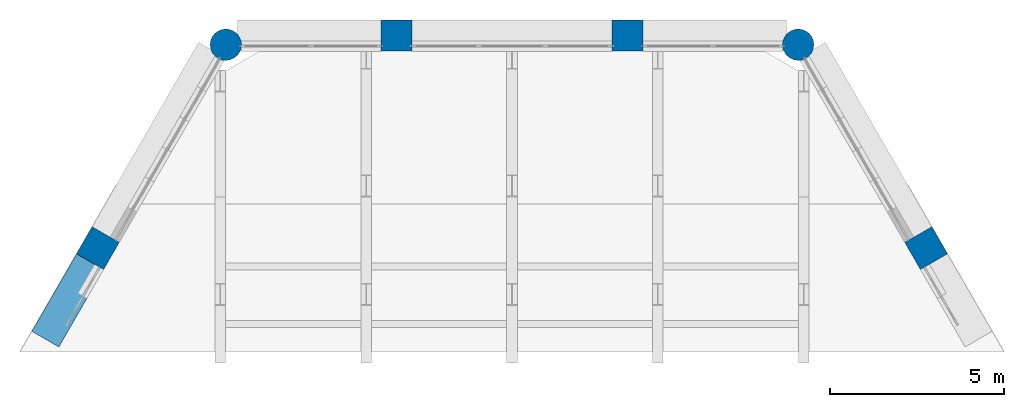
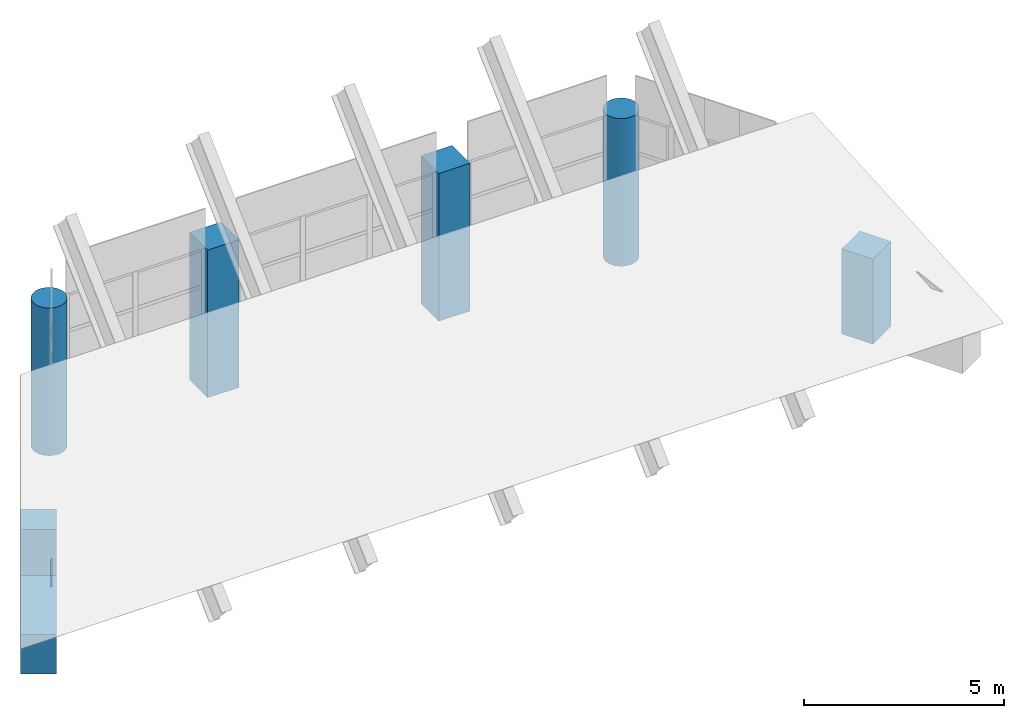
# One storey, part 1 of 11: 6 columns, 1 beam.
"""IFC4 building model written with IfcOpenShell, lengths in metres."""

import ifcopenshell
import ifcopenshell.guid

model = None  # the IFC model being written
_history = None  # IfcOwnerHistory: only IFC2X3 demands one
_inside = {}  # id of a spatial element -> (the spatial element, [elements in it])
_under = {}  # id of a project, library or spatial element -> (it, [spatial elements below it])
_declared = {}  # id of a project -> (the project, [libraries it declares])
_typed = {}  # id of a type object -> (the type object, [elements of that type])
_made_of = {}  # id of a material, layer set ... -> (it, [elements and type objects made of it])


def new_model(schema):
    """Start an empty IFC model of exactly this schema.

    Asked for "IFC4X3", IfcOpenShell would pick the latest addendum, in which some entities
    have other attributes; the version numbers below select the first issue.
    IFC2X3 requires an IfcOwnerHistory on every rooted entity: one is made here for all.
    """
    global model, _history
    if schema == "IFC4X3":
        model = ifcopenshell.file(schema_version=(4, 3, 0, 0))
    else:
        model = ifcopenshell.file(schema=schema)
    _inside.clear()
    _under.clear()
    _declared.clear()
    _typed.clear()
    _made_of.clear()
    _history = None
    if model.schema == "IFC2X3":
        org = make("IfcOrganization", Name="unknown")
        user = make(
            "IfcPersonAndOrganization",
            ThePerson=make("IfcPerson", FamilyName="unknown"),
            TheOrganization=org,
        )
        app = make(
            "IfcApplication",
            ApplicationDeveloper=org,
            Version="unknown",
            ApplicationFullName="unknown",
            ApplicationIdentifier="unknown",
        )
        _history = make(
            "IfcOwnerHistory",
            OwningUser=user,
            OwningApplication=app,
            ChangeAction="ADDED",
            CreationDate=0,
        )
    return model


def make(cls, **values):
    """One entity of the class cls with the attributes given. An attribute that is None is left unset."""
    return model.create_entity(
        cls, **{name: value for name, value in values.items() if value is not None}
    )


def rooted(cls, **values):
    """An entity with a GlobalId (a new one), such as an element, a storey or a relation."""
    return make(cls, GlobalId=ifcopenshell.guid.new(), OwnerHistory=_history, **values)


def si_unit(unit_type, name, prefix=None):
    """IfcSIUnit, for example si_unit("LENGTHUNIT", "METRE", prefix="MILLI")."""
    return make("IfcSIUnit", UnitType=unit_type, Prefix=prefix, Name=name)


def assignment(units):
    """IfcUnitAssignment: the units of a project."""
    return None if units is None else make("IfcUnitAssignment", Units=units)


def point(xyz):
    """IfcCartesianPoint."""
    return None if xyz is None else make("IfcCartesianPoint", Coordinates=xyz)


def direction(xyz):
    """IfcDirection."""
    return None if xyz is None else make("IfcDirection", DirectionRatios=xyz)


def frame(location, z_axis=None, x_axis=None):
    """IfcAxis2Placement3D, a coordinate frame: its origin and axes. An axis left out is left unset."""
    return make(
        "IfcAxis2Placement3D",
        Location=point(location),
        Axis=direction(z_axis),
        RefDirection=direction(x_axis),
    )


def frame_2d(location, x_axis=None):
    """IfcAxis2Placement2D, a coordinate frame in the plane: its origin and x axis."""
    return make(
        "IfcAxis2Placement2D", Location=point(location), RefDirection=direction(x_axis)
    )


def origin():
    """The frame at (0, 0, 0) with its axes left unset."""
    return frame((0.0, 0.0, 0.0))


def origin_2d():
    """The frame at (0, 0) in the plane with its x axis left unset."""
    return frame_2d((0.0, 0.0))


def place(relative_to, where):
    """IfcLocalPlacement: puts the frame where relative to a parent placement (None: the world)."""
    return make(
        "IfcLocalPlacement", PlacementRelTo=relative_to, RelativePlacement=where
    )


def context(
    kind, dimensions, precision=None, world=None, true_north=None, identifier=None
):
    """IfcGeometricRepresentationContext, for example the 3D "Model" context."""
    return make(
        "IfcGeometricRepresentationContext",
        ContextIdentifier=identifier,
        ContextType=kind,
        CoordinateSpaceDimension=dimensions,
        Precision=precision,
        WorldCoordinateSystem=world,
        TrueNorth=true_north,
    )


def subcontext(parent, identifier, kind, view, scale=None):
    """IfcGeometricRepresentationSubContext, for example "Body" below "Model"."""
    return make(
        "IfcGeometricRepresentationSubContext",
        ContextIdentifier=identifier,
        ContextType=kind,
        ParentContext=parent,
        TargetScale=scale,
        TargetView=view,
    )


def project(units=None, contexts=None):
    """IfcProject with its units and contexts."""
    return rooted(
        "IfcProject",
        Name="project",
        RepresentationContexts=contexts,
        UnitsInContext=assignment(units),
    )


def spatial(cls, under=None, at=None, **own):
    """A site, building, storey or space (cls), placed at a placement, below another one or the project."""
    s = rooted(cls, ObjectPlacement=at, **own)
    if under is not None:
        _under.setdefault(under.id(), (under, []))[1].append(s)
    return s


def profile(cls, at=None, kind="AREA", **sizes):
    """A parametric profile (cls). Its sizes go by their IFC names, for example OverallWidth=200.0."""
    return make(cls, ProfileType=kind, Position=at, **sizes)


def rectangle(**sizes):
    """IfcRectangleProfileDef."""
    return profile("IfcRectangleProfileDef", **sizes)


def circle(**sizes):
    """IfcCircleProfileDef."""
    return profile("IfcCircleProfileDef", **sizes)


def extrude(swept, where, along, depth):
    """IfcExtrudedAreaSolid: the profile swept, set in the frame where, extruded along a direction by depth."""
    return make(
        "IfcExtrudedAreaSolid",
        SweptArea=swept,
        Position=where,
        ExtrudedDirection=direction(along),
        Depth=depth,
    )


def shape(context_of_items, identifier, shape_type, items):
    """IfcShapeRepresentation: the items that make up one representation, for example the "Body"."""
    return make(
        "IfcShapeRepresentation",
        ContextOfItems=context_of_items,
        RepresentationIdentifier=identifier,
        RepresentationType=shape_type,
        Items=items,
    )


def material(Name=None, Category=None):
    """IfcMaterial."""
    return make("IfcMaterial", Name=Name, Category=Category)


def material_profile(
    of_material, cross_section, Name=None, Category=None, Priority=None
):
    """IfcMaterialProfile: a cross section and its material."""
    return make(
        "IfcMaterialProfile",
        Name=Name,
        Material=of_material,
        Profile=cross_section,
        Priority=Priority,
        Category=Category,
    )


def profile_set(profiles, Name=None, composite=None):
    """IfcMaterialProfileSet."""
    return make(
        "IfcMaterialProfileSet",
        Name=Name,
        MaterialProfiles=profiles,
        CompositeProfile=composite,
    )


def made_of(thing, what):
    """Note that an element or type object is made of a material, layer set ...; save() writes the relation."""
    if what is not None:
        _made_of.setdefault(what.id(), (what, []))[1].append(thing)
    return thing


def type_object(cls, material=None, **own):
    """A type object (cls), such as IfcWallType, which elements share."""
    return made_of(rooted(cls, **own), material)


def element(
    cls,
    number,
    at=None,
    inside=None,
    cuts=None,
    type_object=None,
    material=None,
    context=None,
    identifier="Body",
    shape_type=None,
    held_by="IfcProductDefinitionShape",
    body=None,
    shapes=None,
    **own,
):
    """One element of the class cls, such as IfcWall. Its Tag is "e" and its number.

    at: its placement. inside: the storey or other place that contains it. cuts: it is an
    opening in that element (IfcRelVoidsElement). A single representation is given by context,
    identifier, shape_type and body (its items); several are given by shapes. held_by: the class
    of the entity that holds the representations. save() writes the other relations.
    """
    e = rooted(cls, Tag="e%d" % number, ObjectPlacement=at, **own)
    if body is not None:
        shapes = [shape(context, identifier, shape_type, body)]
    if shapes is not None:
        e.Representation = make(held_by, Representations=shapes)
    if inside is not None:
        _inside.setdefault(inside.id(), (inside, []))[1].append(e)
    if cuts is not None:
        rooted(
            "IfcRelVoidsElement", RelatingBuildingElement=cuts, RelatedOpeningElement=e
        )
    if type_object is not None:
        _typed.setdefault(type_object.id(), (type_object, []))[1].append(e)
    return made_of(e, material)


def aggregate(whole, parts):
    """IfcRelAggregates: a whole, such as a stair, and the parts it consists of."""
    return rooted("IfcRelAggregates", RelatingObject=whole, RelatedObjects=parts)


def save(model, path):
    """Write the relations noted so far, then the file.

    IfcRelAggregates (storeys below a building ...), IfcRelContainedInSpatialStructure (elements
    in a storey), IfcRelDefinesByType, IfcRelAssociatesMaterial and IfcRelDeclares: one each for
    every whole, place, type object, material and project.
    """
    for whole, parts in _under.values():
        aggregate(whole, parts)
    for where, things in _inside.values():
        rooted(
            "IfcRelContainedInSpatialStructure",
            RelatedElements=things,
            RelatingStructure=where,
        )
    for kind, things in _typed.values():
        rooted("IfcRelDefinesByType", RelatedObjects=things, RelatingType=kind)
    for what, things in _made_of.values():
        rooted("IfcRelAssociatesMaterial", RelatedObjects=things, RelatingMaterial=what)
    for by, libraries in _declared.values():
        rooted("IfcRelDeclares", RelatingContext=by, RelatedDefinitions=libraries)
    model.write(path)


model = new_model("IFC4")

# Units and contexts
model_context = context("Model", 3, precision=1e-05, world=origin(), true_north=direction((0.0, 1.0)))
body_context = subcontext(model_context, "Body", "Model", "MODEL_VIEW")
ifc_project = project(units=[si_unit("LENGTHUNIT", "METRE"), si_unit("AREAUNIT", "SQUARE_METRE"), si_unit("VOLUMEUNIT", "CUBIC_METRE"), si_unit("PLANEANGLEUNIT", "RADIAN"), si_unit("MASSUNIT", "GRAM", prefix="KILO")], contexts=[model_context])

# Site, building, storey
site_placement = place(None, origin())
site = spatial("IfcSite", under=ifc_project, at=site_placement, CompositionType="ELEMENT")
building_placement = place(site_placement, origin())
building = spatial("IfcBuilding", under=site, at=building_placement, Name="Ostrander Bayou Hotel Tower", CompositionType="ELEMENT")
storey_placement = place(building_placement, frame((0.0, 0.0, 297.5)))
storey = spatial("IfcBuildingStorey", under=building, at=storey_placement, Name="Roof 73", CompositionType="ELEMENT", Elevation=297.5)

# Columns
ifc_material_1 = material(Name="Concrete f'c 60 MPa", Category="concrete")
ifc_material_profile_1 = material_profile(ifc_material_1, circle(Radius=0.449951171875, at=origin_2d()))
ifc_profile_set_1 = profile_set([ifc_material_profile_1], Name="Concrete f'c 60 MPa")
column_type_1 = type_object("IfcColumnType", Name="C7 round column 900 mm f'c 60 MPa", PredefinedType="COLUMN", material=ifc_profile_set_1)
for number, where, z_axis, x_axis, name in (
    (1, (-8.2421875, 16.588623046875, -1.199951171875), (0.0, 0.0, 1.0), (1.0, 0.0, 0.0), "C7 L73 K0"),
    (2, (8.2421875, 16.588623046875, -1.199951171875), (0.0, 0.0, 1.0), (1.0, 0.0, 0.0), "C7 L73 K5"),
):
    element("IfcColumn", number, at=place(storey_placement, frame(where, z_axis=z_axis, x_axis=x_axis)), inside=storey, type_object=column_type_1, Name=name, PredefinedType="COLUMN", context=body_context, shape_type="SweptSolid", body=[
        extrude(circle(Radius=0.449951171875, at=origin_2d()), origin(), (0.0, 0.0, 1.0), 4.5),
    ])
ifc_material_2 = material(Name="Concrete f'c 60 MPa", Category="concrete")
ifc_material_profile_2 = material_profile(ifc_material_2, rectangle(XDim=0.89990234375, YDim=0.89990234375, at=origin_2d()))
ifc_profile_set_2 = profile_set([ifc_material_profile_2], Name="Concrete f'c 60 MPa")
column_type_2 = type_object("IfcColumnType", Name="C8 square column 900 x 900 mm f'c 60 MPa", PredefinedType="COLUMN", material=ifc_profile_set_2)
for number, where, z_axis, x_axis, name in (
    (3, (3.329345703125, 16.85009765625, -1.199951171875), (0.0, 0.0, 1.0), (1.0, 0.0, 0.0), "C8 L73 N1"),
    (4, (-3.329345703125, 16.85009765625, -1.199951171875), (0.0, 0.0, 1.0), (1.0, 0.0, 0.0), "C8 L73 N2"),
):
    element("IfcColumn", number, at=place(storey_placement, frame(where, z_axis=z_axis, x_axis=x_axis)), inside=storey, type_object=column_type_2, Name=name, PredefinedType="COLUMN", context=body_context, shape_type="SweptSolid", body=[
        extrude(rectangle(XDim=0.89990234375, YDim=0.89990234375, at=origin_2d()), origin(), (0.0, 0.0, 1.0), 4.5),
    ])
for number, where, z_axis, x_axis, name in (
    (5, (-11.92626953125, 10.72998046875, -1.199951171875), (0.0, 0.0, 1.0), (0.5, 0.866025403784, 0.0), "C8 L73 NW1"),
    (6, (11.92626953125, 10.72998046875, -1.199951171875), (0.0, 0.0, 1.0), (0.5, -0.866025403784, 0.0), "C8 L73 NE2"),
):
    element("IfcColumn", number, at=place(storey_placement, frame(where, z_axis=z_axis, x_axis=x_axis)), inside=storey, type_object=column_type_2, Name=name, PredefinedType="COLUMN", context=body_context, shape_type="SweptSolid", body=[
        extrude(rectangle(XDim=0.89990234375, YDim=0.89990234375, at=origin_2d()), origin(), (0.0, 0.0, 1.0), 2.59814453125),
    ])

# Beam
ifc_material_3 = material(Name="Concrete f'c 60 MPa", Category="concrete")
ifc_material_profile_3 = material_profile(ifc_material_3, rectangle(XDim=0.89990234375, YDim=1.199951171875, at=origin_2d()))
ifc_profile_set_3 = profile_set([ifc_material_profile_3], Name="Concrete f'c 60 MPa")
beam_type = type_object("IfcBeamType", Name="SP4 spandrel beam 900 x 1200 mm f'c 60 MPa", PredefinedType="SPANDREL", material=ifc_profile_set_3)
beam_placement = place(storey_placement, frame((-12.13623046875, 10.366455078125, -0.60009765625), z_axis=(-0.500027874188, -0.866009310016, 0.0), x_axis=(0.866009310016, -0.500027874188, 0.0)))
element("IfcBeam", 7, at=beam_placement, inside=storey, type_object=beam_type, Name="SP4 L73 NW-2", PredefinedType="SPANDREL", context=body_context, shape_type="SweptSolid", body=[
    extrude(rectangle(XDim=0.89990234375, YDim=1.199951171875, at=origin_2d()), origin(), (0.0, 0.0, 1.0), 2.606201171875),
])

save(model, "model.ifc")
